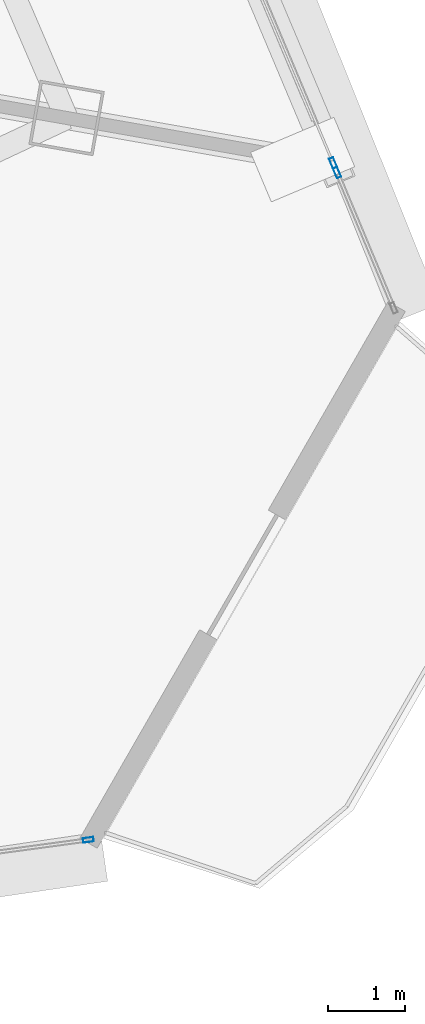
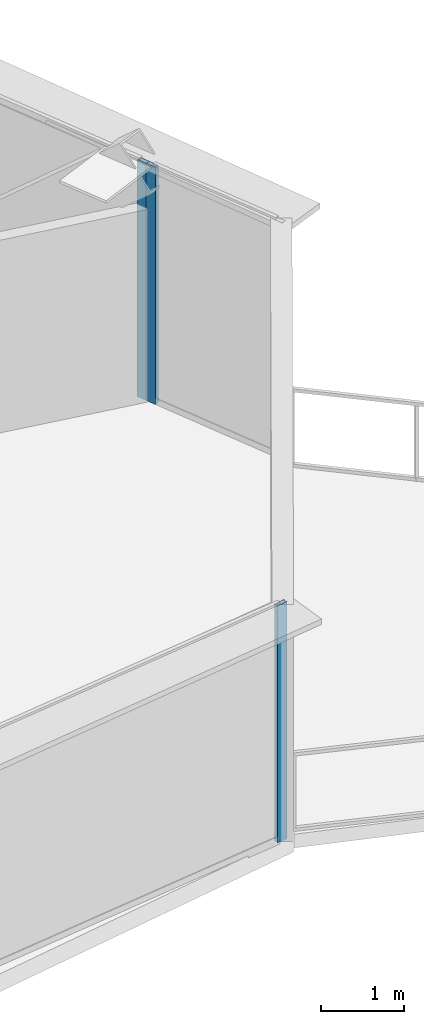
# One storey, part 21 of 35: 3 members, 3 elements without a shape of their own.
"""IFC4 building model written with IfcOpenShell, lengths in metres."""

from ifc_helpers import new_model, si_unit, direction, frame, origin, origin_2d, place, context, subcontext, project, spatial, hollow_rectangle, extrude, source, transform, mapped, material, layer, layer_set, material_profile, profile_set, type_object, element, aggregate, save


model = new_model("IFC4")

# Units and contexts
model_context = context("Model", 3, precision=1e-05, world=origin(), true_north=direction((0.0, 1.0)))
body_context = subcontext(model_context, "Body", "Model", "MODEL_VIEW")
ifc_project = project(units=[si_unit("LENGTHUNIT", "METRE"), si_unit("AREAUNIT", "SQUARE_METRE"), si_unit("VOLUMEUNIT", "CUBIC_METRE"), si_unit("PLANEANGLEUNIT", "RADIAN"), si_unit("MASSUNIT", "GRAM", prefix="KILO"), si_unit("THERMODYNAMICTEMPERATUREUNIT", "KELVIN"), si_unit("POWERUNIT", "WATT")], contexts=[model_context])

# Site, building, storey
site_placement = place(None, origin())
site = spatial("IfcSite", under=ifc_project, at=site_placement, CompositionType="ELEMENT")
building_placement = place(site_placement, origin())
building = spatial("IfcBuilding", under=site, at=building_placement, Name="Yunzhuo Pagoda Commons", CompositionType="ELEMENT")
storey_placement = place(building_placement, frame((0.0, 0.0, 237.070068359375)))
storey = spatial("IfcBuildingStorey", under=building, at=storey_placement, Name="L59", CompositionType="ELEMENT", Elevation=237.070068359375)

# Curtain wall, member
ifc_material = material(Name="Anodized aluminium 6063-T6", Category="aluminium")
ifc_layer = layer(ifc_material, 0.139892578125)
ifc_layer_set = layer_set([ifc_layer], Name="Anodized aluminium 6063-T6")
curtain_wall_type = type_object("IfcCurtainWallType", Name="CW-HI High-Zone Ribbon Curtain Wall", PredefinedType="NOTDEFINED", material=ifc_layer_set)
curtain_wall_1_placement = place(storey_placement, origin())
curtain_wall_1 = element("IfcCurtainWall", 1, at=curtain_wall_1_placement, inside=storey, type_object=curtain_wall_type, Name="L59 curtain wall CW-L59-F1B5", PredefinedType="NOTDEFINED")
ifc_material_profile = material_profile(ifc_material, hollow_rectangle(XDim=0.06005859375, YDim=0.139892578125, WallThickness=0.00341796875, at=origin_2d()), Name="Anodized aluminium 6063-T6")
ifc_profile_set = profile_set([ifc_material_profile], Name="Anodized aluminium 6063-T6")
member_type = type_object("IfcMemberType", Name="CW-HI-M Mullion RHS 140x60x3.5", PredefinedType="MULLION", material=ifc_profile_set)
shared_shape = source(origin(), body_context, "Body", "SweptSolid", [
    extrude(hollow_rectangle(XDim=0.06005859375, YDim=0.139892578125, WallThickness=0.00341796875, at=origin_2d()), origin(), (0.0, 0.0, 1.0), 3.469970703125),
])
member_1_placement = place(storey_placement, frame((80.2177734375, 18.6513671875, 0.0), z_axis=(0.0, 0.0, 1.0), x_axis=(-0.133929585963, 0.990990850616, 0.0)))
member_1 = element("IfcMember", 2, at=member_1_placement, type_object=member_type, Name="CW mullion 2", PredefinedType="MULLION", context=body_context, shape_type="MappedRepresentation", body=[
    mapped(shared_shape, transform((0.0, 0.0, 0.0), scale=1.0)),
])
aggregate(curtain_wall_1, [member_1])

curtain_wall_2_placement = place(storey_placement, origin())
curtain_wall_2 = element("IfcCurtainWall", 3, at=curtain_wall_2_placement, inside=storey, type_object=curtain_wall_type, Name="L59 curtain wall CW-L59-F2B2", PredefinedType="NOTDEFINED")
member_2_placement = place(storey_placement, frame((83.410888671875, 27.48193359375, 0.0), z_axis=(0.0, 0.0, 1.0), x_axis=(-0.92158893956, -0.388167266112, 0.0)))
member_2 = element("IfcMember", 4, at=member_2_placement, type_object=member_type, Name="CW mullion 1", PredefinedType="MULLION", context=body_context, shape_type="MappedRepresentation", body=[
    mapped(shared_shape, transform((0.0, 0.0, 0.0), scale=1.0)),
])
aggregate(curtain_wall_2, [member_2])

curtain_wall_3_placement = place(storey_placement, origin())
curtain_wall_3 = element("IfcCurtainWall", 5, at=curtain_wall_3_placement, inside=storey, type_object=curtain_wall_type, Name="L59 curtain wall CW-L59-F2B1", PredefinedType="NOTDEFINED")
member_3_placement = place(storey_placement, frame((83.462890625, 27.357177734375, 0.0), z_axis=(0.0, 0.0, 1.0), x_axis=(-0.922772675165, -0.385344767667, 0.0)))
member_3 = element("IfcMember", 6, at=member_3_placement, type_object=member_type, Name="CW mullion 2", PredefinedType="MULLION", context=body_context, shape_type="MappedRepresentation", body=[
    mapped(shared_shape, transform((0.0, 0.0, 0.0), scale=1.0)),
])
aggregate(curtain_wall_3, [member_3])

save(model, "model.ifc")
